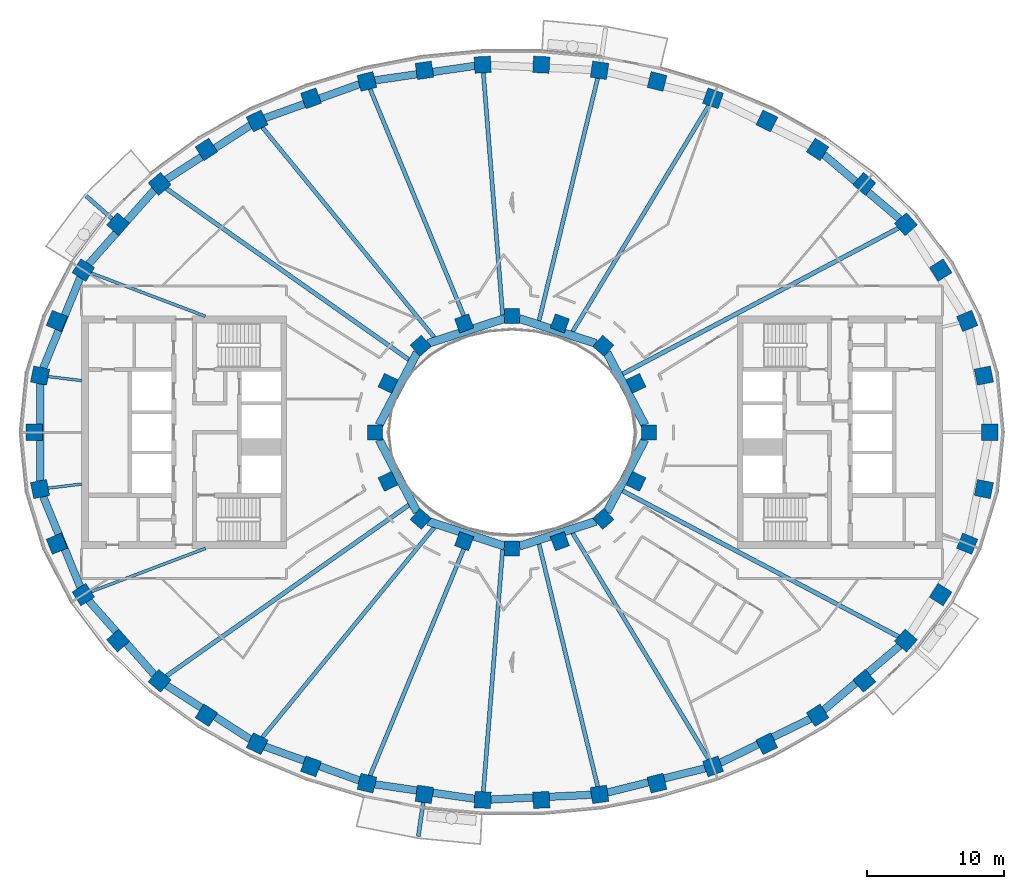
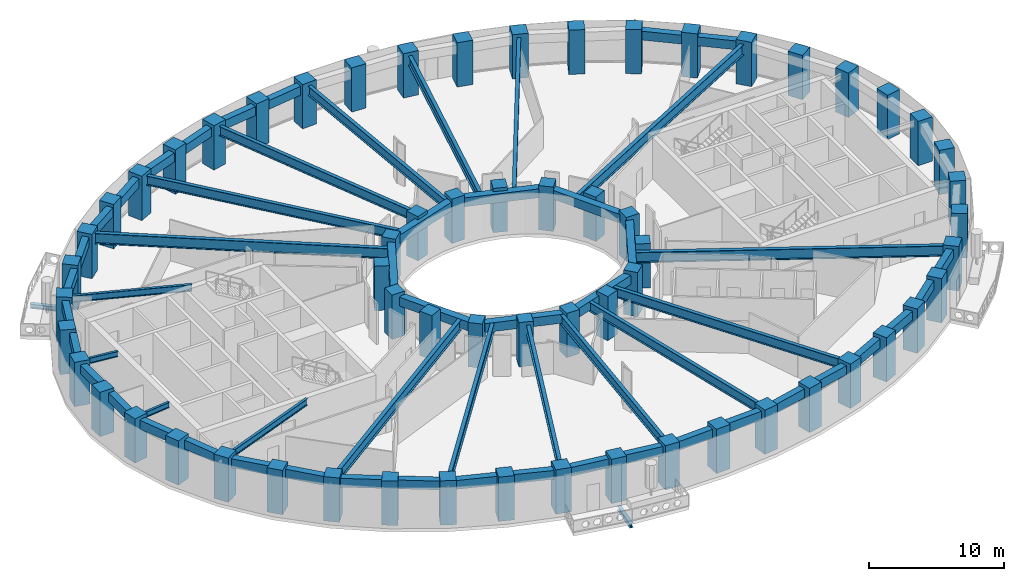
# One storey, part 1 of 16: 62 columns, 44 beams.
"""IFC4 building model written with IfcOpenShell, lengths in metres."""

import ifcopenshell
import ifcopenshell.guid

model = None  # the IFC model being written
_history = None  # IfcOwnerHistory: only IFC2X3 demands one
_inside = {}  # id of a spatial element -> (the spatial element, [elements in it])
_under = {}  # id of a project, library or spatial element -> (it, [spatial elements below it])
_declared = {}  # id of a project -> (the project, [libraries it declares])
_typed = {}  # id of a type object -> (the type object, [elements of that type])
_made_of = {}  # id of a material, layer set ... -> (it, [elements and type objects made of it])


def new_model(schema):
    """Start an empty IFC model of exactly this schema.

    Asked for "IFC4X3", IfcOpenShell would pick the latest addendum, in which some entities
    have other attributes; the version numbers below select the first issue.
    IFC2X3 requires an IfcOwnerHistory on every rooted entity: one is made here for all.
    """
    global model, _history
    if schema == "IFC4X3":
        model = ifcopenshell.file(schema_version=(4, 3, 0, 0))
    else:
        model = ifcopenshell.file(schema=schema)
    _inside.clear()
    _under.clear()
    _declared.clear()
    _typed.clear()
    _made_of.clear()
    _history = None
    if model.schema == "IFC2X3":
        org = make("IfcOrganization", Name="unknown")
        user = make(
            "IfcPersonAndOrganization",
            ThePerson=make("IfcPerson", FamilyName="unknown"),
            TheOrganization=org,
        )
        app = make(
            "IfcApplication",
            ApplicationDeveloper=org,
            Version="unknown",
            ApplicationFullName="unknown",
            ApplicationIdentifier="unknown",
        )
        _history = make(
            "IfcOwnerHistory",
            OwningUser=user,
            OwningApplication=app,
            ChangeAction="ADDED",
            CreationDate=0,
        )
    return model


def make(cls, **values):
    """One entity of the class cls with the attributes given. An attribute that is None is left unset."""
    return model.create_entity(
        cls, **{name: value for name, value in values.items() if value is not None}
    )


def rooted(cls, **values):
    """An entity with a GlobalId (a new one), such as an element, a storey or a relation."""
    return make(cls, GlobalId=ifcopenshell.guid.new(), OwnerHistory=_history, **values)


def si_unit(unit_type, name, prefix=None):
    """IfcSIUnit, for example si_unit("LENGTHUNIT", "METRE", prefix="MILLI")."""
    return make("IfcSIUnit", UnitType=unit_type, Prefix=prefix, Name=name)


def assignment(units):
    """IfcUnitAssignment: the units of a project."""
    return None if units is None else make("IfcUnitAssignment", Units=units)


def point(xyz):
    """IfcCartesianPoint."""
    return None if xyz is None else make("IfcCartesianPoint", Coordinates=xyz)


def direction(xyz):
    """IfcDirection."""
    return None if xyz is None else make("IfcDirection", DirectionRatios=xyz)


def frame(location, z_axis=None, x_axis=None):
    """IfcAxis2Placement3D, a coordinate frame: its origin and axes. An axis left out is left unset."""
    return make(
        "IfcAxis2Placement3D",
        Location=point(location),
        Axis=direction(z_axis),
        RefDirection=direction(x_axis),
    )


def frame_2d(location, x_axis=None):
    """IfcAxis2Placement2D, a coordinate frame in the plane: its origin and x axis."""
    return make(
        "IfcAxis2Placement2D", Location=point(location), RefDirection=direction(x_axis)
    )


def origin():
    """The frame at (0, 0, 0) with its axes left unset."""
    return frame((0.0, 0.0, 0.0))


def origin_2d():
    """The frame at (0, 0) in the plane with its x axis left unset."""
    return frame_2d((0.0, 0.0))


def place(relative_to, where):
    """IfcLocalPlacement: puts the frame where relative to a parent placement (None: the world)."""
    return make(
        "IfcLocalPlacement", PlacementRelTo=relative_to, RelativePlacement=where
    )


def context(
    kind, dimensions, precision=None, world=None, true_north=None, identifier=None
):
    """IfcGeometricRepresentationContext, for example the 3D "Model" context."""
    return make(
        "IfcGeometricRepresentationContext",
        ContextIdentifier=identifier,
        ContextType=kind,
        CoordinateSpaceDimension=dimensions,
        Precision=precision,
        WorldCoordinateSystem=world,
        TrueNorth=true_north,
    )


def subcontext(parent, identifier, kind, view, scale=None):
    """IfcGeometricRepresentationSubContext, for example "Body" below "Model"."""
    return make(
        "IfcGeometricRepresentationSubContext",
        ContextIdentifier=identifier,
        ContextType=kind,
        ParentContext=parent,
        TargetScale=scale,
        TargetView=view,
    )


def project(units=None, contexts=None):
    """IfcProject with its units and contexts."""
    return rooted(
        "IfcProject",
        Name="project",
        RepresentationContexts=contexts,
        UnitsInContext=assignment(units),
    )


def spatial(cls, under=None, at=None, **own):
    """A site, building, storey or space (cls), placed at a placement, below another one or the project."""
    s = rooted(cls, ObjectPlacement=at, **own)
    if under is not None:
        _under.setdefault(under.id(), (under, []))[1].append(s)
    return s


def profile(cls, at=None, kind="AREA", **sizes):
    """A parametric profile (cls). Its sizes go by their IFC names, for example OverallWidth=200.0."""
    return make(cls, ProfileType=kind, Position=at, **sizes)


def rectangle(**sizes):
    """IfcRectangleProfileDef."""
    return profile("IfcRectangleProfileDef", **sizes)


def i_section(**sizes):
    """IfcIShapeProfileDef."""
    return profile("IfcIShapeProfileDef", **sizes)


def extrude(swept, where, along, depth):
    """IfcExtrudedAreaSolid: the profile swept, set in the frame where, extruded along a direction by depth."""
    return make(
        "IfcExtrudedAreaSolid",
        SweptArea=swept,
        Position=where,
        ExtrudedDirection=direction(along),
        Depth=depth,
    )


def shape(context_of_items, identifier, shape_type, items):
    """IfcShapeRepresentation: the items that make up one representation, for example the "Body"."""
    return make(
        "IfcShapeRepresentation",
        ContextOfItems=context_of_items,
        RepresentationIdentifier=identifier,
        RepresentationType=shape_type,
        Items=items,
    )


def material(Name=None, Category=None):
    """IfcMaterial."""
    return make("IfcMaterial", Name=Name, Category=Category)


def material_profile(
    of_material, cross_section, Name=None, Category=None, Priority=None
):
    """IfcMaterialProfile: a cross section and its material."""
    return make(
        "IfcMaterialProfile",
        Name=Name,
        Material=of_material,
        Profile=cross_section,
        Priority=Priority,
        Category=Category,
    )


def profile_set(profiles, Name=None, composite=None):
    """IfcMaterialProfileSet."""
    return make(
        "IfcMaterialProfileSet",
        Name=Name,
        MaterialProfiles=profiles,
        CompositeProfile=composite,
    )


def made_of(thing, what):
    """Note that an element or type object is made of a material, layer set ...; save() writes the relation."""
    if what is not None:
        _made_of.setdefault(what.id(), (what, []))[1].append(thing)
    return thing


def type_object(cls, material=None, **own):
    """A type object (cls), such as IfcWallType, which elements share."""
    return made_of(rooted(cls, **own), material)


def element(
    cls,
    number,
    at=None,
    inside=None,
    cuts=None,
    type_object=None,
    material=None,
    context=None,
    identifier="Body",
    shape_type=None,
    held_by="IfcProductDefinitionShape",
    body=None,
    shapes=None,
    **own,
):
    """One element of the class cls, such as IfcWall. Its Tag is "e" and its number.

    at: its placement. inside: the storey or other place that contains it. cuts: it is an
    opening in that element (IfcRelVoidsElement). A single representation is given by context,
    identifier, shape_type and body (its items); several are given by shapes. held_by: the class
    of the entity that holds the representations. save() writes the other relations.
    """
    e = rooted(cls, Tag="e%d" % number, ObjectPlacement=at, **own)
    if body is not None:
        shapes = [shape(context, identifier, shape_type, body)]
    if shapes is not None:
        e.Representation = make(held_by, Representations=shapes)
    if inside is not None:
        _inside.setdefault(inside.id(), (inside, []))[1].append(e)
    if cuts is not None:
        rooted(
            "IfcRelVoidsElement", RelatingBuildingElement=cuts, RelatedOpeningElement=e
        )
    if type_object is not None:
        _typed.setdefault(type_object.id(), (type_object, []))[1].append(e)
    return made_of(e, material)


def aggregate(whole, parts):
    """IfcRelAggregates: a whole, such as a stair, and the parts it consists of."""
    return rooted("IfcRelAggregates", RelatingObject=whole, RelatedObjects=parts)


def save(model, path):
    """Write the relations noted so far, then the file.

    IfcRelAggregates (storeys below a building ...), IfcRelContainedInSpatialStructure (elements
    in a storey), IfcRelDefinesByType, IfcRelAssociatesMaterial and IfcRelDeclares: one each for
    every whole, place, type object, material and project.
    """
    for whole, parts in _under.values():
        aggregate(whole, parts)
    for where, things in _inside.values():
        rooted(
            "IfcRelContainedInSpatialStructure",
            RelatedElements=things,
            RelatingStructure=where,
        )
    for kind, things in _typed.values():
        rooted("IfcRelDefinesByType", RelatedObjects=things, RelatingType=kind)
    for what, things in _made_of.values():
        rooted("IfcRelAssociatesMaterial", RelatedObjects=things, RelatingMaterial=what)
    for by, libraries in _declared.values():
        rooted("IfcRelDeclares", RelatingContext=by, RelatedDefinitions=libraries)
    model.write(path)


model = new_model("IFC4")

# Units and contexts
model_context = context("Model", 3, precision=1e-05, world=origin(), true_north=direction((0.0, 1.0)))
body_context = subcontext(model_context, "Body", "Model", "MODEL_VIEW")
ifc_project = project(units=[si_unit("LENGTHUNIT", "METRE"), si_unit("AREAUNIT", "SQUARE_METRE"), si_unit("VOLUMEUNIT", "CUBIC_METRE"), si_unit("PLANEANGLEUNIT", "RADIAN"), si_unit("MASSUNIT", "GRAM", prefix="KILO")], contexts=[model_context])

# Site, building, storey
site_placement = place(None, origin())
site = spatial("IfcSite", under=ifc_project, at=site_placement, CompositionType="ELEMENT")
building_placement = place(site_placement, origin())
building = spatial("IfcBuilding", under=site, at=building_placement, Name="Noorbagh Ring Tower", CompositionType="ELEMENT")
storey_placement = place(building_placement, frame((0.0, 0.0, 166.0)))
storey = spatial("IfcBuildingStorey", under=building, at=storey_placement, Name="L38", CompositionType="ELEMENT", Elevation=166.0)

# Columns
ifc_material_1 = material(Name="Concrete C60/75", Category="concrete")
ifc_material_profile_1 = material_profile(ifc_material_1, rectangle(XDim=1.199951171875, YDim=1.199951171875, at=origin_2d()), Name="RC1200x1200")
ifc_profile_set_1 = profile_set([ifc_material_profile_1], Name="Concrete C60/75")
column_type_1 = type_object("IfcColumnType", Name="STR-COL-RC1200x1200-C60-75", PredefinedType="COLUMN", material=ifc_profile_set_1)
for number, where, z_axis, x_axis, name in (
    (1, (34.944580078125, 0.0, 0.0), (0.0, 0.0, 1.0), (0.0, 1.0, 0.0), "L38/col/R1-01"),
    (2, (34.52685546875, 4.150634765625, 0.0), (0.0, 0.0, 1.0), (-0.19723040178, 0.9803571638, 0.0), "L38/col/R1-02"),
    (3, (33.30517578125, 8.1494140625, 0.0), (0.0, 0.0, 1.0), (-0.378989499959, 0.925400971969, 0.0), "L38/col/R1-03"),
    (4, (31.364990234375, 11.87109375, 0.0), (0.0, 0.0, 1.0), (-0.535190403059, 0.844731455833, 0.0), "L38/col/R1-04"),
    (5, (28.81884765625, 15.23046875, 0.0), (0.0, 0.0, 1.0), (-0.662635642662, 0.748941923699, 0.0), "L38/col/R1-05"),
    (6, (25.78271484375, 18.180419921875, 0.0), (0.0, 0.0, 1.0), (-0.763035199656, 0.646356932419, 0.0), "L38/col/R1-06"),
    (7, (22.362060546875, 20.699951171875, 0.0), (0.0, 0.0, 1.0), (-0.840247639643, 0.542202825586, 0.0), "L38/col/R1-07"),
    (8, (18.646240234375, 22.785400390625, 0.0), (0.0, 0.0, 1.0), (-0.898399080868, 0.439180021741, 0.0), "L38/col/R1-08"),
    (9, (14.70947265625, 24.44091796875, 0.0), (0.0, 0.0, 1.0), (-0.941024726094, 0.338337797003, 0.0), "L38/col/R1-09"),
    (10, (10.61328125, 25.673583984375, 0.0), (0.0, 0.0, 1.0), (-0.970829360981, 0.239771457553, 0.0), "L38/col/R1-10"),
    (11, (6.4091796875, 26.49072265625, 0.0), (0.0, 0.0, 1.0), (-0.989713114048, 0.143066249975, 0.0), "L38/col/R1-11"),
    (12, (2.14306640625, 26.89794921875, 0.0), (0.0, 0.0, 1.0), (-0.998868731212, 0.047552684538, 0.0), "L38/col/R1-12"),
    (13, (-2.14306640625, 26.89794921875, 0.0), (0.0, 0.0, 1.0), (-0.998868731212, -0.047552684538, 0.0), "L38/col/R1-13"),
    (14, (-6.4091796875, 26.49072265625, 0.0), (0.0, 0.0, 1.0), (-0.989713114048, -0.143066249975, 0.0), "L38/col/R1-14"),
    (15, (-10.61328125, 25.673583984375, 0.0), (0.0, 0.0, 1.0), (-0.970829360981, -0.239771457553, 0.0), "L38/col/R1-15"),
    (16, (-14.70947265625, 24.44091796875, 0.0), (0.0, 0.0, 1.0), (-0.941024726094, -0.338337797003, 0.0), "L38/col/R1-16"),
    (17, (-18.646240234375, 22.785400390625, 0.0), (0.0, 0.0, 1.0), (-0.898399080868, -0.439180021741, 0.0), "L38/col/R1-17"),
    (18, (-22.362060546875, 20.699951171875, 0.0), (0.0, 0.0, 1.0), (-0.840247639643, -0.542202825586, 0.0), "L38/col/R1-18"),
    (19, (-25.78271484375, 18.180419921875, 0.0), (0.0, 0.0, 1.0), (-0.763035199656, -0.646356932419, 0.0), "L38/col/R1-19"),
    (20, (-28.81884765625, 15.23046875, 0.0), (0.0, 0.0, 1.0), (-0.662635642662, -0.748941923699, 0.0), "L38/col/R1-20"),
    (21, (-31.364990234375, 11.87109375, 0.0), (0.0, 0.0, 1.0), (-0.535190403059, -0.844731455833, 0.0), "L38/col/R1-21"),
    (22, (-33.30517578125, 8.1494140625, 0.0), (0.0, 0.0, 1.0), (-0.378989499959, -0.925400971969, 0.0), "L38/col/R1-22"),
    (23, (-34.52685546875, 4.150634765625, 0.0), (0.0, 0.0, 1.0), (-0.19723040178, -0.9803571638, 0.0), "L38/col/R1-23"),
    (24, (-34.944580078125, 0.0, 0.0), (0.0, 0.0, 1.0), (0.0, -1.0, 0.0), "L38/col/R1-24"),
    (25, (-34.52685546875, -4.150634765625, 0.0), (0.0, 0.0, 1.0), (0.19723040178, -0.9803571638, 0.0), "L38/col/R1-25"),
    (26, (-33.30517578125, -8.1494140625, 0.0), (0.0, 0.0, 1.0), (0.378989499959, -0.925400971969, 0.0), "L38/col/R1-26"),
    (27, (-31.364990234375, -11.87109375, 0.0), (0.0, 0.0, 1.0), (0.535190403059, -0.844731455833, 0.0), "L38/col/R1-27"),
    (28, (-28.81884765625, -15.23046875, 0.0), (0.0, 0.0, 1.0), (0.662635642662, -0.748941923699, 0.0), "L38/col/R1-28"),
    (29, (-25.78271484375, -18.180419921875, 0.0), (0.0, 0.0, 1.0), (0.763035199656, -0.646356932419, 0.0), "L38/col/R1-29"),
    (30, (-22.362060546875, -20.699951171875, 0.0), (0.0, 0.0, 1.0), (0.840247639643, -0.542202825586, 0.0), "L38/col/R1-30"),
    (31, (-18.646240234375, -22.785400390625, 0.0), (0.0, 0.0, 1.0), (0.898399080868, -0.439180021741, 0.0), "L38/col/R1-31"),
    (32, (-14.70947265625, -24.44091796875, 0.0), (0.0, 0.0, 1.0), (0.941024726094, -0.338337797003, 0.0), "L38/col/R1-32"),
    (33, (-10.61328125, -25.673583984375, 0.0), (0.0, 0.0, 1.0), (0.970829360981, -0.239771457553, 0.0), "L38/col/R1-33"),
    (34, (-6.4091796875, -26.49072265625, 0.0), (0.0, 0.0, 1.0), (0.989713114048, -0.143066249975, 0.0), "L38/col/R1-34"),
    (35, (-2.14306640625, -26.89794921875, 0.0), (0.0, 0.0, 1.0), (0.998868731212, -0.047552684538, 0.0), "L38/col/R1-35"),
    (36, (2.14306640625, -26.89794921875, 0.0), (0.0, 0.0, 1.0), (0.998868731212, 0.047552684538, 0.0), "L38/col/R1-36"),
    (37, (6.4091796875, -26.49072265625, 0.0), (0.0, 0.0, 1.0), (0.989713114048, 0.143066249975, 0.0), "L38/col/R1-37"),
    (38, (10.61328125, -25.673583984375, 0.0), (0.0, 0.0, 1.0), (0.970829360981, 0.239771457553, 0.0), "L38/col/R1-38"),
    (39, (14.70947265625, -24.44091796875, 0.0), (0.0, 0.0, 1.0), (0.941024726094, 0.338337797003, 0.0), "L38/col/R1-39"),
    (40, (18.646240234375, -22.785400390625, 0.0), (0.0, 0.0, 1.0), (0.898399080868, 0.439180021741, 0.0), "L38/col/R1-40"),
    (41, (22.362060546875, -20.699951171875, 0.0), (0.0, 0.0, 1.0), (0.840247639643, 0.542202825586, 0.0), "L38/col/R1-41"),
    (42, (25.78271484375, -18.180419921875, 0.0), (0.0, 0.0, 1.0), (0.763035199656, 0.646356932419, 0.0), "L38/col/R1-42"),
    (43, (28.81884765625, -15.23046875, 0.0), (0.0, 0.0, 1.0), (0.662635642662, 0.748941923699, 0.0), "L38/col/R1-43"),
    (44, (31.364990234375, -11.87109375, 0.0), (0.0, 0.0, 1.0), (0.535190403059, 0.844731455833, 0.0), "L38/col/R1-44"),
    (45, (33.30517578125, -8.1494140625, 0.0), (0.0, 0.0, 1.0), (0.378989499959, 0.925400971969, 0.0), "L38/col/R1-45"),
    (46, (34.52685546875, -4.150634765625, 0.0), (0.0, 0.0, 1.0), (0.19723040178, 0.9803571638, 0.0), "L38/col/R1-46"),
):
    element("IfcColumn", number, at=place(storey_placement, frame(where, z_axis=z_axis, x_axis=x_axis)), inside=storey, type_object=column_type_1, Name=name, PredefinedType="COLUMN", context=body_context, shape_type="SweptSolid", body=[
        extrude(rectangle(XDim=1.199951171875, YDim=1.199951171875, at=origin_2d()), origin(), (0.0, 0.0, 1.0), 4.0),
    ])
ifc_material_2 = material(Name="Concrete C60/75", Category="concrete")
ifc_material_profile_2 = material_profile(ifc_material_2, rectangle(XDim=1.10009765625, YDim=1.10009765625, at=origin_2d()), Name="RC1100x1100")
ifc_profile_set_2 = profile_set([ifc_material_profile_2], Name="Concrete C60/75")
column_type_2 = type_object("IfcColumnType", Name="STR-ICOL-RC1100x1100-C60-75", PredefinedType="COLUMN", material=ifc_profile_set_2)
for number, where, z_axis, x_axis, name in (
    (47, (10.00830078125, 0.0, 0.0), (0.0, 0.0, 1.0), (0.0, 1.0, 0.0), "L38/col/IR2-W01"),
    (48, (9.07568359375, 3.58837890625, 0.0), (0.0, 0.0, 1.0), (-0.428666979171, 0.903462573087, 0.0), "L38/col/IR2-W03"),
    (49, (6.68212890625, 6.333740234375, 0.0), (0.0, 0.0, 1.0), (-0.75102249095, 0.660276622399, 0.0), "L38/col/IR2-W05"),
    (50, (3.5009765625, 7.967041015625, 0.0), (0.0, 0.0, 1.0), (-0.939019578916, 0.343863679984, 0.0), "L38/col/IR2-W07"),
    (51, (0.0, 8.5029296875, 0.0), (0.0, 0.0, 1.0), (-1.0, 0.0, 0.0), "L38/col/IR2-W09"),
    (52, (-3.5009765625, 7.967041015625, 0.0), (0.0, 0.0, 1.0), (-0.939019578916, -0.343863679984, 0.0), "L38/col/IR2-W11"),
    (53, (-6.68212890625, 6.333740234375, 0.0), (0.0, 0.0, 1.0), (-0.75102249095, -0.660276622399, 0.0), "L38/col/IR2-W13"),
    (54, (-9.07568359375, 3.58837890625, 0.0), (0.0, 0.0, 1.0), (-0.428666979171, -0.903462573087, 0.0), "L38/col/IR2-W15"),
    (55, (-10.00830078125, 0.0, 0.0), (0.0, 0.0, 1.0), (0.0, -1.0, 0.0), "L38/col/IR2-W17"),
    (56, (-9.07568359375, -3.58837890625, 0.0), (0.0, 0.0, 1.0), (0.428666979171, -0.903462573087, 0.0), "L38/col/IR2-W19"),
    (57, (-6.68212890625, -6.333740234375, 0.0), (0.0, 0.0, 1.0), (0.75102249095, -0.660276622399, 0.0), "L38/col/IR2-W21"),
    (58, (-3.5009765625, -7.967041015625, 0.0), (0.0, 0.0, 1.0), (0.939019578916, -0.343863679984, 0.0), "L38/col/IR2-W23"),
    (59, (0.0, -8.5029296875, 0.0), (0.0, 0.0, 1.0), (1.0, 0.0, 0.0), "L38/col/IR2-W25"),
    (60, (3.5009765625, -7.967041015625, 0.0), (0.0, 0.0, 1.0), (0.939019578916, 0.343863679984, 0.0), "L38/col/IR2-W27"),
    (61, (6.68212890625, -6.333740234375, 0.0), (0.0, 0.0, 1.0), (0.75102249095, 0.660276622399, 0.0), "L38/col/IR2-W29"),
    (62, (9.07568359375, -3.58837890625, 0.0), (0.0, 0.0, 1.0), (0.428666979171, 0.903462573087, 0.0), "L38/col/IR2-W31"),
):
    element("IfcColumn", number, at=place(storey_placement, frame(where, z_axis=z_axis, x_axis=x_axis)), inside=storey, type_object=column_type_2, Name=name, PredefinedType="COLUMN", context=body_context, shape_type="SweptSolid", body=[
        extrude(rectangle(XDim=1.10009765625, YDim=1.10009765625, at=origin_2d()), origin(), (0.0, 0.0, 1.0), 4.0),
    ])

# Beams
ifc_material_3 = material(Name="Steel S355", Category="steel")
ifc_material_profile_3 = material_profile(ifc_material_3, i_section(OverallWidth=0.300048828125, OverallDepth=0.39990234375, WebThickness=0.013427734375, FlangeThickness=0.02392578125, FilletRadius=0.027099609375, at=origin_2d()), Name="HEB400")
ifc_profile_set_3 = profile_set([ifc_material_profile_3], Name="Steel S355")
beam_type_1 = type_object("IfcBeamType", Name="STR-BALCONY-BRACKET-HEB400", PredefinedType="BEAM", material=ifc_profile_set_3)
beam_1_placement = place(storey_placement, frame((-29.253173828125, 15.61474609375, -0.5), z_axis=(-0.749068405178, 0.662492659856, 0.0), x_axis=(-0.662492659856, -0.749068405178, 0.0)))
element("IfcBeam", 63, at=beam_1_placement, inside=storey, type_object=beam_type_1, Name="Balcony bracket beam BN06", PredefinedType="BEAM", context=body_context, shape_type="SweptSolid", body=[
    extrude(i_section(OverallWidth=0.300048828125, OverallDepth=0.39990234375, WebThickness=0.013427734375, FlangeThickness=0.02392578125, FilletRadius=0.027099609375, at=origin_2d()), origin(), (0.0, 0.0, 1.0), 2.529541015625),
])
beam_2_placement = place(storey_placement, frame((-6.4921875, -27.06494140625, -0.5), z_axis=(-0.143073420259, -0.989712077533, 0.0), x_axis=(0.989712077533, -0.143073420259, 0.0)))
element("IfcBeam", 64, at=beam_2_placement, inside=storey, type_object=beam_type_1, Name="Balcony bracket beam BS03", PredefinedType="BEAM", context=body_context, shape_type="SweptSolid", body=[
    extrude(i_section(OverallWidth=0.300048828125, OverallDepth=0.39990234375, WebThickness=0.013427734375, FlangeThickness=0.02392578125, FilletRadius=0.027099609375, at=origin_2d()), origin(), (0.0, 0.0, 1.0), 2.523681640625),
])
ifc_material_4 = material(Name="Steel S355", Category="steel")
ifc_material_profile_4 = material_profile(ifc_material_4, i_section(OverallWidth=0.199951171875, OverallDepth=0.5, WebThickness=0.01025390625, FlangeThickness=0.01611328125, FilletRadius=0.02099609375, at=origin_2d()), Name="IPE500")
ifc_profile_set_4 = profile_set([ifc_material_profile_4], Name="Steel S355")
beam_type_2 = type_object("IfcBeamType", Name="STR-RAD-IPE500", PredefinedType="BEAM", material=ifc_profile_set_4)
for number, where, z_axis, x_axis, name in (
    (65, (-33.948974609375, 4.081298828125, 3.449951171875), (0.992847073299, -0.119393002485, 0.0), (0.119393002485, 0.992847073299, 0.0), "L38/bm/RD23"),
    (66, (-33.948974609375, -4.081298828125, 3.449951171875), (0.992847073299, 0.119393002485, 0.0), (-0.119393002485, 0.992847073299, 0.0), "L38/bm/RD25"),
):
    element("IfcBeam", number, at=place(storey_placement, frame(where, z_axis=z_axis, x_axis=x_axis)), inside=storey, type_object=beam_type_2, Name=name, PredefinedType="BEAM", context=body_context, shape_type="SweptSolid", body=[
        extrude(i_section(OverallWidth=0.199951171875, OverallDepth=0.5, WebThickness=0.01025390625, FlangeThickness=0.01611328125, FilletRadius=0.02099609375, at=origin_2d()), origin(), (0.0, 0.0, 1.0), 2.486572265625),
    ])
ifc_material_5 = material(Name="Steel S355", Category="steel")
ifc_material_profile_5 = material_profile(ifc_material_5, i_section(OverallWidth=0.219970703125, OverallDepth=0.60009765625, WebThickness=0.011962890625, FlangeThickness=0.01904296875, FilletRadius=0.02392578125, at=origin_2d()), Name="IPE600")
ifc_profile_set_5 = profile_set([ifc_material_profile_5], Name="Steel S355")
beam_type_3 = type_object("IfcBeamType", Name="STR-RAD-IPE600", PredefinedType="BEAM", material=ifc_profile_set_5)
for number, where, z_axis, x_axis, name in (
    (67, (-30.810791015625, 11.6611328125, 3.39990234375), (0.935257705558, -0.35396754681, 0.0), (0.35396754681, 0.935257705558, 0.0), "L38/bm/RD21"),
    (68, (-30.810791015625, -11.6611328125, 3.39990234375), (0.935257705558, 0.35396754681, 0.0), (-0.35396754681, 0.935257705558, 0.0), "L38/bm/RD27"),
):
    element("IfcBeam", number, at=place(storey_placement, frame(where, z_axis=z_axis, x_axis=x_axis)), inside=storey, type_object=beam_type_3, Name=name, PredefinedType="BEAM", context=body_context, shape_type="SweptSolid", body=[
        extrude(i_section(OverallWidth=0.219970703125, OverallDepth=0.60009765625, WebThickness=0.011962890625, FlangeThickness=0.01904296875, FilletRadius=0.02392578125, at=origin_2d()), origin(), (0.0, 0.0, 1.0), 8.95068359375),
    ])
ifc_material_6 = material(Name="Steel S355", Category="steel")
ifc_material_profile_6 = material_profile(ifc_material_6, i_section(OverallWidth=0.300048828125, OverallDepth=0.85009765625, WebThickness=0.013916015625, FlangeThickness=0.028076171875, at=origin_2d()), Name="PG850x300x14x28")
ifc_profile_set_6 = profile_set([ifc_material_profile_6], Name="Steel S355")
beam_type_4 = type_object("IfcBeamType", Name="STR-RAD-PG850x300x14x28", PredefinedType="BEAM", material=ifc_profile_set_6)
beam_3_placement = place(storey_placement, frame((14.404296875, 23.933837890625, 3.27490234375), z_axis=(-0.515653442321, -0.856797249892, 0.0), x_axis=(0.856797249892, -0.515653442321, 0.0)))
element("IfcBeam", 69, at=beam_3_placement, inside=storey, type_object=beam_type_4, Name="L38/bm/RD09", PredefinedType="BEAM", context=body_context, shape_type="SweptSolid", body=[
    extrude(i_section(OverallWidth=0.300048828125, OverallDepth=0.85009765625, WebThickness=0.013916015625, FlangeThickness=0.028076171875, at=origin_2d()), origin(), (0.0, 0.0, 1.0), 19.343994140625),
])
beam_4_placement = place(storey_placement, frame((6.272216796875, 25.924560546875, 3.27490234375), z_axis=(-0.235159659646, -0.971956755455, 0.0), x_axis=(0.971956755455, -0.235159659646, 0.0)))
element("IfcBeam", 70, at=beam_4_placement, inside=storey, type_object=beam_type_4, Name="L38/bm/RD11", PredefinedType="BEAM", context=body_context, shape_type="SweptSolid", body=[
    extrude(i_section(OverallWidth=0.300048828125, OverallDepth=0.85009765625, WebThickness=0.013916015625, FlangeThickness=0.028076171875, at=origin_2d()), origin(), (0.0, 0.0, 1.0), 18.280517578125),
])
beam_5_placement = place(storey_placement, frame((-2.09716796875, 26.319580078125, 3.27490234375), z_axis=(0.079428488964, -0.996840566561, 0.0), x_axis=(0.996840566561, 0.079428488964, 0.0)))
element("IfcBeam", 71, at=beam_5_placement, inside=storey, type_object=beam_type_4, Name="L38/bm/RD13", PredefinedType="BEAM", context=body_context, shape_type="SweptSolid", body=[
    extrude(i_section(OverallWidth=0.300048828125, OverallDepth=0.85009765625, WebThickness=0.013916015625, FlangeThickness=0.028076171875, at=origin_2d()), origin(), (0.0, 0.0, 1.0), 17.7998046875),
])
beam_6_placement = place(storey_placement, frame((-10.388916015625, 25.13134765625, 3.27490234375), z_axis=(0.382025650428, -0.924151720452, 0.0), x_axis=(0.924151720452, 0.382025650428, 0.0)))
element("IfcBeam", 72, at=beam_6_placement, inside=storey, type_object=beam_type_4, Name="L38/bm/RD15", PredefinedType="BEAM", context=body_context, shape_type="SweptSolid", body=[
    extrude(i_section(OverallWidth=0.300048828125, OverallDepth=0.85009765625, WebThickness=0.013916015625, FlangeThickness=0.028076171875, at=origin_2d()), origin(), (0.0, 0.0, 1.0), 18.80078125),
])
for number, where, z_axis, x_axis, name in (
    (73, (-18.2685546875, 22.32373046875, 3.27490234375), (0.633310075039, -0.773898151474, 0.0), (0.773898151474, 0.633310075039, 0.0), "L38/bm/RD17"),
    (74, (-18.2685546875, -22.32373046875, 3.27490234375), (0.633310075039, 0.773898151474, 0.0), (-0.773898151474, 0.633310075039, 0.0), "L38/bm/RD31"),
):
    element("IfcBeam", number, at=place(storey_placement, frame(where, z_axis=z_axis, x_axis=x_axis)), inside=storey, type_object=beam_type_4, Name=name, PredefinedType="BEAM", context=body_context, shape_type="SweptSolid", body=[
        extrude(i_section(OverallWidth=0.300048828125, OverallDepth=0.85009765625, WebThickness=0.013916015625, FlangeThickness=0.028076171875, at=origin_2d()), origin(), (0.0, 0.0, 1.0), 19.86279296875),
    ])
beam_7_placement = place(storey_placement, frame((-10.388916015625, -25.13134765625, 3.27490234375), z_axis=(0.382025650428, 0.924151720452, 0.0), x_axis=(-0.924151720452, 0.382025650428, 0.0)))
element("IfcBeam", 75, at=beam_7_placement, inside=storey, type_object=beam_type_4, Name="L38/bm/RD33", PredefinedType="BEAM", context=body_context, shape_type="SweptSolid", body=[
    extrude(i_section(OverallWidth=0.300048828125, OverallDepth=0.85009765625, WebThickness=0.013916015625, FlangeThickness=0.028076171875, at=origin_2d()), origin(), (0.0, 0.0, 1.0), 18.80078125),
])
beam_8_placement = place(storey_placement, frame((-2.09716796875, -26.319580078125, 3.27490234375), z_axis=(0.079428488964, 0.996840566561, 0.0), x_axis=(-0.996840566561, 0.079428488964, 0.0)))
element("IfcBeam", 76, at=beam_8_placement, inside=storey, type_object=beam_type_4, Name="L38/bm/RD35", PredefinedType="BEAM", context=body_context, shape_type="SweptSolid", body=[
    extrude(i_section(OverallWidth=0.300048828125, OverallDepth=0.85009765625, WebThickness=0.013916015625, FlangeThickness=0.028076171875, at=origin_2d()), origin(), (0.0, 0.0, 1.0), 17.7998046875),
])
beam_9_placement = place(storey_placement, frame((6.272216796875, -25.924560546875, 3.27490234375), z_axis=(-0.235159659646, 0.971956755455, 0.0), x_axis=(-0.971956755455, -0.235159659646, 0.0)))
element("IfcBeam", 77, at=beam_9_placement, inside=storey, type_object=beam_type_4, Name="L38/bm/RD37", PredefinedType="BEAM", context=body_context, shape_type="SweptSolid", body=[
    extrude(i_section(OverallWidth=0.300048828125, OverallDepth=0.85009765625, WebThickness=0.013916015625, FlangeThickness=0.028076171875, at=origin_2d()), origin(), (0.0, 0.0, 1.0), 18.280517578125),
])
beam_10_placement = place(storey_placement, frame((14.404296875, -23.933837890625, 3.27490234375), z_axis=(-0.515653442321, 0.856797249892, 0.0), x_axis=(-0.856797249892, -0.515653442321, 0.0)))
element("IfcBeam", 78, at=beam_10_placement, inside=storey, type_object=beam_type_4, Name="L38/bm/RD39", PredefinedType="BEAM", context=body_context, shape_type="SweptSolid", body=[
    extrude(i_section(OverallWidth=0.300048828125, OverallDepth=0.85009765625, WebThickness=0.013916015625, FlangeThickness=0.028076171875, at=origin_2d()), origin(), (0.0, 0.0, 1.0), 19.343994140625),
])
ifc_material_7 = material(Name="Steel S355", Category="steel")
ifc_material_profile_7 = material_profile(ifc_material_7, i_section(OverallWidth=0.320068359375, OverallDepth=0.949951171875, WebThickness=0.01611328125, FlangeThickness=0.030029296875, at=origin_2d()), Name="PG950x320x16x30")
ifc_profile_set_7 = profile_set([ifc_material_profile_7], Name="Steel S355")
beam_type_5 = type_object("IfcBeamType", Name="STR-RAD-PG950x320x16x30", PredefinedType="BEAM", material=ifc_profile_set_7)
beam_11_placement = place(storey_placement, frame((28.29052734375, 14.951416015625, 3.22509765625), z_axis=(-0.88411920944, -0.467261408099, 0.0), x_axis=(0.467261408099, -0.88411920944, 0.0)))
element("IfcBeam", 79, at=beam_11_placement, inside=storey, type_object=beam_type_5, Name="L38/bm/RD05", PredefinedType="BEAM", context=body_context, shape_type="SweptSolid", body=[
    extrude(i_section(OverallWidth=0.320068359375, OverallDepth=0.949951171875, WebThickness=0.01611328125, FlangeThickness=0.030029296875, at=origin_2d()), origin(), (0.0, 0.0, 1.0), 22.857421875),
])
for number, where, z_axis, x_axis, name in (
    (80, (-25.29248046875, 17.834716796875, 3.22509765625), (0.817253927646, -0.576277726229, 0.0), (0.576277726229, 0.817253927646, 0.0), "L38/bm/RD19"),
    (81, (-25.29248046875, -17.834716796875, 3.22509765625), (0.817253927646, 0.576277726229, 0.0), (-0.576277726229, 0.817253927646, 0.0), "L38/bm/RD29"),
):
    element("IfcBeam", number, at=place(storey_placement, frame(where, z_axis=z_axis, x_axis=x_axis)), inside=storey, type_object=beam_type_5, Name=name, PredefinedType="BEAM", context=body_context, shape_type="SweptSolid", body=[
        extrude(i_section(OverallWidth=0.320068359375, OverallDepth=0.949951171875, WebThickness=0.01611328125, FlangeThickness=0.030029296875, at=origin_2d()), origin(), (0.0, 0.0, 1.0), 21.728515625),
    ])
beam_12_placement = place(storey_placement, frame((28.29052734375, -14.951416015625, 3.22509765625), z_axis=(-0.88411920944, 0.467261408099, 0.0), x_axis=(-0.467261408099, -0.88411920944, 0.0)))
element("IfcBeam", 82, at=beam_12_placement, inside=storey, type_object=beam_type_5, Name="L38/bm/RD43", PredefinedType="BEAM", context=body_context, shape_type="SweptSolid", body=[
    extrude(i_section(OverallWidth=0.320068359375, OverallDepth=0.949951171875, WebThickness=0.01611328125, FlangeThickness=0.030029296875, at=origin_2d()), origin(), (0.0, 0.0, 1.0), 22.857421875),
])
ifc_material_8 = material(Name="Concrete C40/50", Category="concrete")
ifc_material_profile_8 = material_profile(ifc_material_8, rectangle(XDim=0.60009765625, YDim=0.800048828125, at=origin_2d()), Name="RC600x800")
ifc_profile_set_8 = profile_set([ifc_material_profile_8], Name="Concrete C40/50")
beam_type_6 = type_object("IfcBeamType", Name="STR-RB-RC600x800-C40-50", PredefinedType="BEAM", material=ifc_profile_set_8)
beam_13_placement = place(storey_placement, frame((9.728759765625, 0.5322265625, 3.300048828125), z_axis=(-0.464913857529, 0.885355919999, 0.0), x_axis=(-0.885355919999, -0.464913857529, 0.0)))
element("IfcBeam", 83, at=beam_13_placement, inside=storey, type_object=beam_type_6, Name="L38/bm/RG01", PredefinedType="BEAM", context=body_context, shape_type="SweptSolid", body=[
    extrude(rectangle(XDim=0.60009765625, YDim=0.800048828125, at=origin_2d()), origin(), (0.0, 0.0, 1.0), 5.98388671875),
])
for number, where, z_axis, x_axis, name in (
    (84, (6.13134765625, 6.512451171875, 3.300048828125), (-0.95113365854, 0.308779474046, 0.0), (-0.308779474046, -0.95113365854, 0.0), "L38/bm/RG03"),
    (85, (-0.531005859375, 8.33056640625, 3.300048828125), (-0.95113365854, -0.308779474046, 0.0), (0.308779474046, -0.95113365854, 0.0), "L38/bm/RG05"),
):
    element("IfcBeam", number, at=place(storey_placement, frame(where, z_axis=z_axis, x_axis=x_axis)), inside=storey, type_object=beam_type_6, Name=name, PredefinedType="BEAM", context=body_context, shape_type="SweptSolid", body=[
        extrude(rectangle(XDim=0.60009765625, YDim=0.800048828125, at=origin_2d()), origin(), (0.0, 0.0, 1.0), 5.88818359375),
    ])
for number, where, z_axis, x_axis, name in (
    (86, (-6.94677734375, 5.830078125, 3.300048828125), (-0.464913857529, -0.885355919999, 0.0), (0.885355919999, -0.464913857529, 0.0), "L38/bm/RG07"),
    (87, (-9.728759765625, -0.5322265625, 3.300048828125), (0.464913857529, -0.885355919999, 0.0), (0.885355919999, 0.464913857529, 0.0), "L38/bm/RG09"),
):
    element("IfcBeam", number, at=place(storey_placement, frame(where, z_axis=z_axis, x_axis=x_axis)), inside=storey, type_object=beam_type_6, Name=name, PredefinedType="BEAM", context=body_context, shape_type="SweptSolid", body=[
        extrude(rectangle(XDim=0.60009765625, YDim=0.800048828125, at=origin_2d()), origin(), (0.0, 0.0, 1.0), 5.98388671875),
    ])
for number, where, z_axis, x_axis, name in (
    (88, (-6.13134765625, -6.512451171875, 3.300048828125), (0.95113365854, -0.308779474046, 0.0), (0.308779474046, 0.95113365854, 0.0), "L38/bm/RG11"),
    (89, (0.531005859375, -8.33056640625, 3.300048828125), (0.95113365854, 0.308779474046, 0.0), (-0.308779474046, 0.95113365854, 0.0), "L38/bm/RG13"),
):
    element("IfcBeam", number, at=place(storey_placement, frame(where, z_axis=z_axis, x_axis=x_axis)), inside=storey, type_object=beam_type_6, Name=name, PredefinedType="BEAM", context=body_context, shape_type="SweptSolid", body=[
        extrude(rectangle(XDim=0.60009765625, YDim=0.800048828125, at=origin_2d()), origin(), (0.0, 0.0, 1.0), 5.88818359375),
    ])
beam_14_placement = place(storey_placement, frame((6.94677734375, -5.830078125, 3.300048828125), z_axis=(0.464913857529, 0.885355919999, 0.0), x_axis=(-0.885355919999, 0.464913857529, 0.0)))
element("IfcBeam", 90, at=beam_14_placement, inside=storey, type_object=beam_type_6, Name="L38/bm/RG15", PredefinedType="BEAM", context=body_context, shape_type="SweptSolid", body=[
    extrude(rectangle(XDim=0.60009765625, YDim=0.800048828125, at=origin_2d()), origin(), (0.0, 0.0, 1.0), 5.98388671875),
])
ifc_material_9 = material(Name="Concrete C40/50", Category="concrete")
ifc_material_profile_9 = material_profile(ifc_material_9, rectangle(XDim=0.550048828125, YDim=0.800048828125, at=origin_2d()), Name="RC550x800")
ifc_profile_set_9 = profile_set([ifc_material_profile_9], Name="Concrete C40/50")
beam_type_7 = type_object("IfcBeamType", Name="STR-SB-RC550x800-C40-50", PredefinedType="BEAM", material=ifc_profile_set_9)
beam_15_placement = place(storey_placement, frame((28.37158203125, 15.609375, 3.300048828125), z_axis=(-0.76303051661, 0.646362460792, 0.0), x_axis=(-0.646362460792, -0.76303051661, 0.0)))
element("IfcBeam", 91, at=beam_15_placement, inside=storey, type_object=beam_type_7, Name="L38/bm/SP05", PredefinedType="BEAM", context=body_context, shape_type="SweptSolid", body=[
    extrude(rectangle(XDim=0.550048828125, YDim=0.800048828125, at=origin_2d()), origin(), (0.0, 0.0, 1.0), 7.290771484375),
])
beam_16_placement = place(storey_placement, frame((-2.719970703125, 26.814697265625, 3.300048828125), z_axis=(-0.989712982551, -0.143067159651, 0.0), x_axis=(0.143067159651, -0.989712982551, 0.0)))
element("IfcBeam", 92, at=beam_16_placement, inside=storey, type_object=beam_type_7, Name="L38/bm/SP13", PredefinedType="BEAM", context=body_context, shape_type="SweptSolid", body=[
    extrude(rectangle(XDim=0.550048828125, YDim=0.800048828125, at=origin_2d()), origin(), (0.0, 0.0, 1.0), 7.392333984375),
])
beam_17_placement = place(storey_placement, frame((-11.162109375, 25.476318359375, 3.300048828125), z_axis=(-0.941026272099, -0.338333497041, 0.0), x_axis=(0.338333497041, -0.941026272099, 0.0)))
element("IfcBeam", 93, at=beam_17_placement, inside=storey, type_object=beam_type_7, Name="L38/bm/SP15", PredefinedType="BEAM", context=body_context, shape_type="SweptSolid", body=[
    extrude(rectangle(XDim=0.550048828125, YDim=0.800048828125, at=origin_2d()), origin(), (0.0, 0.0, 1.0), 7.36962890625),
])
beam_18_placement = place(storey_placement, frame((-19.13720703125, 22.468505859375, 3.300048828125), z_axis=(-0.840250107942, -0.542199000463, 0.0), x_axis=(0.542199000463, -0.840250107942, 0.0)))
element("IfcBeam", 94, at=beam_18_placement, inside=storey, type_object=beam_type_7, Name="L38/bm/SP17", PredefinedType="BEAM", context=body_context, shape_type="SweptSolid", body=[
    extrude(rectangle(XDim=0.550048828125, YDim=0.800048828125, at=origin_2d()), origin(), (0.0, 0.0, 1.0), 7.32373046875),
])
beam_19_placement = place(storey_placement, frame((-26.171142578125, 17.7412109375, 3.300048828125), z_axis=(-0.662637815304, -0.748940001422, 0.0), x_axis=(0.748940001422, -0.662637815304, 0.0)))
element("IfcBeam", 95, at=beam_19_placement, inside=storey, type_object=beam_type_7, Name="L38/bm/SP19", PredefinedType="BEAM", context=body_context, shape_type="SweptSolid", body=[
    extrude(rectangle(XDim=0.550048828125, YDim=0.800048828125, at=origin_2d()), origin(), (0.0, 0.0, 1.0), 7.25048828125),
])
beam_20_placement = place(storey_placement, frame((-31.58837890625, 11.325439453125, 3.300048828125), z_axis=(-0.378983224539, -0.925403541985, 0.0), x_axis=(0.925403541985, -0.378983224539, 0.0)))
element("IfcBeam", 96, at=beam_20_placement, inside=storey, type_object=beam_type_7, Name="L38/bm/SP21", PredefinedType="BEAM", context=body_context, shape_type="SweptSolid", body=[
    extrude(rectangle(XDim=0.550048828125, YDim=0.800048828125, at=origin_2d()), origin(), (0.0, 0.0, 1.0), 7.162109375),
])
beam_21_placement = place(storey_placement, frame((-34.52685546875, 3.55859375, 3.300048828125), z_axis=(0.0, -1.0, 0.0), x_axis=(1.0, 0.0, 0.0)))
element("IfcBeam", 97, at=beam_21_placement, inside=storey, type_object=beam_type_7, Name="L38/bm/SP23", PredefinedType="BEAM", context=body_context, shape_type="SweptSolid", body=[
    extrude(rectangle(XDim=0.550048828125, YDim=0.800048828125, at=origin_2d()), origin(), (0.0, 0.0, 1.0), 7.1171875),
])
beam_22_placement = place(storey_placement, frame((-34.302734375, -4.697509765625, 3.300048828125), z_axis=(0.378983224539, -0.925403541985, 0.0), x_axis=(0.925403541985, 0.378983224539, 0.0)))
element("IfcBeam", 98, at=beam_22_placement, inside=storey, type_object=beam_type_7, Name="L38/bm/SP25", PredefinedType="BEAM", context=body_context, shape_type="SweptSolid", body=[
    extrude(rectangle(XDim=0.550048828125, YDim=0.800048828125, at=origin_2d()), origin(), (0.0, 0.0, 1.0), 7.162109375),
])
beam_23_placement = place(storey_placement, frame((-30.9755859375, -12.31103515625, 3.300048828125), z_axis=(0.662637815304, -0.748940001422, 0.0), x_axis=(0.748940001422, 0.662637815304, 0.0)))
element("IfcBeam", 99, at=beam_23_placement, inside=storey, type_object=beam_type_7, Name="L38/bm/SP27", PredefinedType="BEAM", context=body_context, shape_type="SweptSolid", body=[
    extrude(rectangle(XDim=0.550048828125, YDim=0.800048828125, at=origin_2d()), origin(), (0.0, 0.0, 1.0), 7.25048828125),
])
beam_24_placement = place(storey_placement, frame((-25.291015625, -18.49755859375, 3.300048828125), z_axis=(0.840250107942, -0.542199000463, 0.0), x_axis=(0.542199000463, 0.840250107942, 0.0)))
element("IfcBeam", 100, at=beam_24_placement, inside=storey, type_object=beam_type_7, Name="L38/bm/SP29", PredefinedType="BEAM", context=body_context, shape_type="SweptSolid", body=[
    extrude(rectangle(XDim=0.550048828125, YDim=0.800048828125, at=origin_2d()), origin(), (0.0, 0.0, 1.0), 7.32373046875),
])
beam_25_placement = place(storey_placement, frame((-18.09716796875, -22.98291015625, 3.300048828125), z_axis=(0.941026272099, -0.338333497041, 0.0), x_axis=(0.338333497041, 0.941026272099, 0.0)))
element("IfcBeam", 101, at=beam_25_placement, inside=storey, type_object=beam_type_7, Name="L38/bm/SP31", PredefinedType="BEAM", context=body_context, shape_type="SweptSolid", body=[
    extrude(rectangle(XDim=0.550048828125, YDim=0.800048828125, at=origin_2d()), origin(), (0.0, 0.0, 1.0), 7.36962890625),
])
beam_26_placement = place(storey_placement, frame((-10.036376953125, -25.757080078125, 3.300048828125), z_axis=(0.989712982551, -0.143067159651, 0.0), x_axis=(0.143067159651, 0.989712982551, 0.0)))
element("IfcBeam", 102, at=beam_26_placement, inside=storey, type_object=beam_type_7, Name="L38/bm/SP33", PredefinedType="BEAM", context=body_context, shape_type="SweptSolid", body=[
    extrude(rectangle(XDim=0.550048828125, YDim=0.800048828125, at=origin_2d()), origin(), (0.0, 0.0, 1.0), 7.392333984375),
])
beam_27_placement = place(storey_placement, frame((-1.56103515625, -26.870361328125, 3.300048828125), z_axis=(0.9988682124, 0.047563581193, 0.0), x_axis=(-0.047563581193, 0.9988682124, 0.0)))
element("IfcBeam", 103, at=beam_27_placement, inside=storey, type_object=beam_type_7, Name="L38/bm/SP35", PredefinedType="BEAM", context=body_context, shape_type="SweptSolid", body=[
    extrude(rectangle(XDim=0.550048828125, YDim=0.800048828125, at=origin_2d()), origin(), (0.0, 0.0, 1.0), 7.396484375),
])
beam_28_placement = place(storey_placement, frame((6.97509765625, -26.35107421875, 3.300048828125), z_axis=(0.970832897369, 0.239757138341, 0.0), x_axis=(-0.239757138341, 0.970832897369, 0.0)))
element("IfcBeam", 104, at=beam_28_placement, inside=storey, type_object=beam_type_7, Name="L38/bm/SP37", PredefinedType="BEAM", context=body_context, shape_type="SweptSolid", body=[
    extrude(rectangle(XDim=0.550048828125, YDim=0.800048828125, at=origin_2d()), origin(), (0.0, 0.0, 1.0), 7.383544921875),
])
beam_29_placement = place(storey_placement, frame((15.23388671875, -24.1845703125, 3.300048828125), z_axis=(0.898397175695, 0.439183918994, 0.0), x_axis=(-0.439183918994, 0.898397175695, 0.0)))
element("IfcBeam", 105, at=beam_29_placement, inside=storey, type_object=beam_type_7, Name="L38/bm/SP39", PredefinedType="BEAM", context=body_context, shape_type="SweptSolid", body=[
    extrude(rectangle(XDim=0.550048828125, YDim=0.800048828125, at=origin_2d()), origin(), (0.0, 0.0, 1.0), 7.35009765625),
])
beam_30_placement = place(storey_placement, frame((22.80859375, -20.32177734375, 3.300048828125), z_axis=(0.76303051661, 0.646362460792, 0.0), x_axis=(-0.646362460792, 0.76303051661, 0.0)))
element("IfcBeam", 106, at=beam_30_placement, inside=storey, type_object=beam_type_7, Name="L38/bm/SP41", PredefinedType="BEAM", context=body_context, shape_type="SweptSolid", body=[
    extrude(rectangle(XDim=0.550048828125, YDim=0.800048828125, at=origin_2d()), origin(), (0.0, 0.0, 1.0), 7.290771484375),
])

save(model, "model.ifc")
